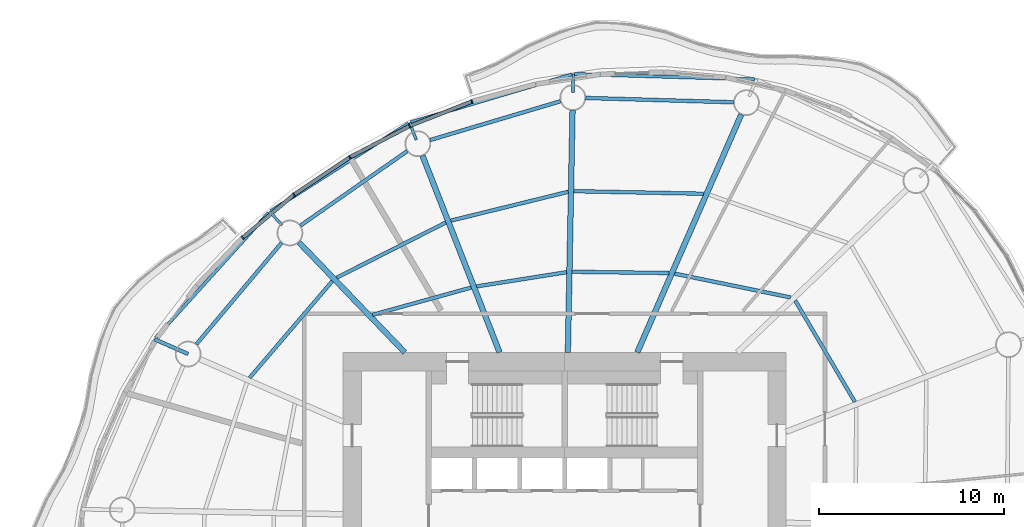
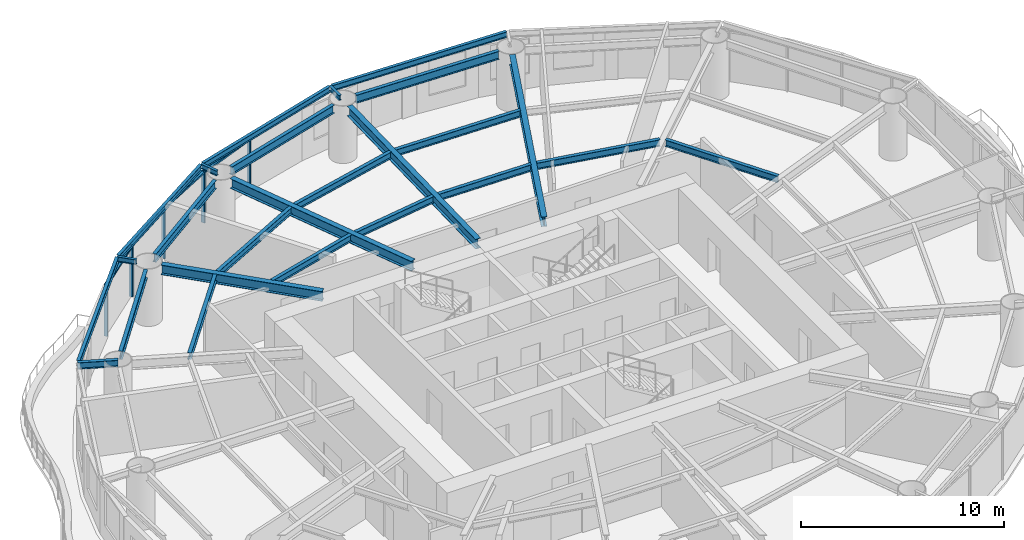
# One storey, part 5 of 14: 25 beams, 9 members, 4 elements without a shape of their own.
"""IFC4 building model written with IfcOpenShell, lengths in metres."""

import ifcopenshell
import ifcopenshell.guid

model = None  # the IFC model being written
_history = None  # IfcOwnerHistory: only IFC2X3 demands one
_inside = {}  # id of a spatial element -> (the spatial element, [elements in it])
_under = {}  # id of a project, library or spatial element -> (it, [spatial elements below it])
_declared = {}  # id of a project -> (the project, [libraries it declares])
_typed = {}  # id of a type object -> (the type object, [elements of that type])
_made_of = {}  # id of a material, layer set ... -> (it, [elements and type objects made of it])


def new_model(schema):
    """Start an empty IFC model of exactly this schema.

    Asked for "IFC4X3", IfcOpenShell would pick the latest addendum, in which some entities
    have other attributes; the version numbers below select the first issue.
    IFC2X3 requires an IfcOwnerHistory on every rooted entity: one is made here for all.
    """
    global model, _history
    if schema == "IFC4X3":
        model = ifcopenshell.file(schema_version=(4, 3, 0, 0))
    else:
        model = ifcopenshell.file(schema=schema)
    _inside.clear()
    _under.clear()
    _declared.clear()
    _typed.clear()
    _made_of.clear()
    _history = None
    if model.schema == "IFC2X3":
        org = make("IfcOrganization", Name="unknown")
        user = make(
            "IfcPersonAndOrganization",
            ThePerson=make("IfcPerson", FamilyName="unknown"),
            TheOrganization=org,
        )
        app = make(
            "IfcApplication",
            ApplicationDeveloper=org,
            Version="unknown",
            ApplicationFullName="unknown",
            ApplicationIdentifier="unknown",
        )
        _history = make(
            "IfcOwnerHistory",
            OwningUser=user,
            OwningApplication=app,
            ChangeAction="ADDED",
            CreationDate=0,
        )
    return model


def make(cls, **values):
    """One entity of the class cls with the attributes given. An attribute that is None is left unset."""
    return model.create_entity(
        cls, **{name: value for name, value in values.items() if value is not None}
    )


def rooted(cls, **values):
    """An entity with a GlobalId (a new one), such as an element, a storey or a relation."""
    return make(cls, GlobalId=ifcopenshell.guid.new(), OwnerHistory=_history, **values)


def si_unit(unit_type, name, prefix=None):
    """IfcSIUnit, for example si_unit("LENGTHUNIT", "METRE", prefix="MILLI")."""
    return make("IfcSIUnit", UnitType=unit_type, Prefix=prefix, Name=name)


def assignment(units):
    """IfcUnitAssignment: the units of a project."""
    return None if units is None else make("IfcUnitAssignment", Units=units)


def point(xyz):
    """IfcCartesianPoint."""
    return None if xyz is None else make("IfcCartesianPoint", Coordinates=xyz)


def direction(xyz):
    """IfcDirection."""
    return None if xyz is None else make("IfcDirection", DirectionRatios=xyz)


def frame(location, z_axis=None, x_axis=None):
    """IfcAxis2Placement3D, a coordinate frame: its origin and axes. An axis left out is left unset."""
    return make(
        "IfcAxis2Placement3D",
        Location=point(location),
        Axis=direction(z_axis),
        RefDirection=direction(x_axis),
    )


def frame_2d(location, x_axis=None):
    """IfcAxis2Placement2D, a coordinate frame in the plane: its origin and x axis."""
    return make(
        "IfcAxis2Placement2D", Location=point(location), RefDirection=direction(x_axis)
    )


def origin():
    """The frame at (0, 0, 0) with its axes left unset."""
    return frame((0.0, 0.0, 0.0))


def origin_2d():
    """The frame at (0, 0) in the plane with its x axis left unset."""
    return frame_2d((0.0, 0.0))


def place(relative_to, where):
    """IfcLocalPlacement: puts the frame where relative to a parent placement (None: the world)."""
    return make(
        "IfcLocalPlacement", PlacementRelTo=relative_to, RelativePlacement=where
    )


def context(
    kind, dimensions, precision=None, world=None, true_north=None, identifier=None
):
    """IfcGeometricRepresentationContext, for example the 3D "Model" context."""
    return make(
        "IfcGeometricRepresentationContext",
        ContextIdentifier=identifier,
        ContextType=kind,
        CoordinateSpaceDimension=dimensions,
        Precision=precision,
        WorldCoordinateSystem=world,
        TrueNorth=true_north,
    )


def subcontext(parent, identifier, kind, view, scale=None):
    """IfcGeometricRepresentationSubContext, for example "Body" below "Model"."""
    return make(
        "IfcGeometricRepresentationSubContext",
        ContextIdentifier=identifier,
        ContextType=kind,
        ParentContext=parent,
        TargetScale=scale,
        TargetView=view,
    )


def project(units=None, contexts=None):
    """IfcProject with its units and contexts."""
    return rooted(
        "IfcProject",
        Name="project",
        RepresentationContexts=contexts,
        UnitsInContext=assignment(units),
    )


def spatial(cls, under=None, at=None, **own):
    """A site, building, storey or space (cls), placed at a placement, below another one or the project."""
    s = rooted(cls, ObjectPlacement=at, **own)
    if under is not None:
        _under.setdefault(under.id(), (under, []))[1].append(s)
    return s


def profile(cls, at=None, kind="AREA", **sizes):
    """A parametric profile (cls). Its sizes go by their IFC names, for example OverallWidth=200.0."""
    return make(cls, ProfileType=kind, Position=at, **sizes)


def rectangle(**sizes):
    """IfcRectangleProfileDef."""
    return profile("IfcRectangleProfileDef", **sizes)


def i_section(**sizes):
    """IfcIShapeProfileDef."""
    return profile("IfcIShapeProfileDef", **sizes)


def extrude(swept, where, along, depth):
    """IfcExtrudedAreaSolid: the profile swept, set in the frame where, extruded along a direction by depth."""
    return make(
        "IfcExtrudedAreaSolid",
        SweptArea=swept,
        Position=where,
        ExtrudedDirection=direction(along),
        Depth=depth,
    )


def shape(context_of_items, identifier, shape_type, items):
    """IfcShapeRepresentation: the items that make up one representation, for example the "Body"."""
    return make(
        "IfcShapeRepresentation",
        ContextOfItems=context_of_items,
        RepresentationIdentifier=identifier,
        RepresentationType=shape_type,
        Items=items,
    )


def material(Name=None, Category=None):
    """IfcMaterial."""
    return make("IfcMaterial", Name=Name, Category=Category)


def material_profile(
    of_material, cross_section, Name=None, Category=None, Priority=None
):
    """IfcMaterialProfile: a cross section and its material."""
    return make(
        "IfcMaterialProfile",
        Name=Name,
        Material=of_material,
        Profile=cross_section,
        Priority=Priority,
        Category=Category,
    )


def profile_set(profiles, Name=None, composite=None):
    """IfcMaterialProfileSet."""
    return make(
        "IfcMaterialProfileSet",
        Name=Name,
        MaterialProfiles=profiles,
        CompositeProfile=composite,
    )


def made_of(thing, what):
    """Note that an element or type object is made of a material, layer set ...; save() writes the relation."""
    if what is not None:
        _made_of.setdefault(what.id(), (what, []))[1].append(thing)
    return thing


def type_object(cls, material=None, **own):
    """A type object (cls), such as IfcWallType, which elements share."""
    return made_of(rooted(cls, **own), material)


def element(
    cls,
    number,
    at=None,
    inside=None,
    cuts=None,
    type_object=None,
    material=None,
    context=None,
    identifier="Body",
    shape_type=None,
    held_by="IfcProductDefinitionShape",
    body=None,
    shapes=None,
    **own,
):
    """One element of the class cls, such as IfcWall. Its Tag is "e" and its number.

    at: its placement. inside: the storey or other place that contains it. cuts: it is an
    opening in that element (IfcRelVoidsElement). A single representation is given by context,
    identifier, shape_type and body (its items); several are given by shapes. held_by: the class
    of the entity that holds the representations. save() writes the other relations.
    """
    e = rooted(cls, Tag="e%d" % number, ObjectPlacement=at, **own)
    if body is not None:
        shapes = [shape(context, identifier, shape_type, body)]
    if shapes is not None:
        e.Representation = make(held_by, Representations=shapes)
    if inside is not None:
        _inside.setdefault(inside.id(), (inside, []))[1].append(e)
    if cuts is not None:
        rooted(
            "IfcRelVoidsElement", RelatingBuildingElement=cuts, RelatedOpeningElement=e
        )
    if type_object is not None:
        _typed.setdefault(type_object.id(), (type_object, []))[1].append(e)
    return made_of(e, material)


def aggregate(whole, parts):
    """IfcRelAggregates: a whole, such as a stair, and the parts it consists of."""
    return rooted("IfcRelAggregates", RelatingObject=whole, RelatedObjects=parts)


def save(model, path):
    """Write the relations noted so far, then the file.

    IfcRelAggregates (storeys below a building ...), IfcRelContainedInSpatialStructure (elements
    in a storey), IfcRelDefinesByType, IfcRelAssociatesMaterial and IfcRelDeclares: one each for
    every whole, place, type object, material and project.
    """
    for whole, parts in _under.values():
        aggregate(whole, parts)
    for where, things in _inside.values():
        rooted(
            "IfcRelContainedInSpatialStructure",
            RelatedElements=things,
            RelatingStructure=where,
        )
    for kind, things in _typed.values():
        rooted("IfcRelDefinesByType", RelatedObjects=things, RelatingType=kind)
    for what, things in _made_of.values():
        rooted("IfcRelAssociatesMaterial", RelatedObjects=things, RelatingMaterial=what)
    for by, libraries in _declared.values():
        rooted("IfcRelDeclares", RelatingContext=by, RelatedDefinitions=libraries)
    model.write(path)


model = new_model("IFC4")

# Units and contexts
model_context = context("Model", 3, precision=1e-05, world=origin(), true_north=direction((0.0, 1.0)))
body_context = subcontext(model_context, "Body", "Model", "MODEL_VIEW")
ifc_project = project(units=[si_unit("LENGTHUNIT", "METRE"), si_unit("AREAUNIT", "SQUARE_METRE"), si_unit("VOLUMEUNIT", "CUBIC_METRE"), si_unit("PLANEANGLEUNIT", "RADIAN"), si_unit("MASSUNIT", "GRAM", prefix="KILO")], contexts=[model_context])

# Site, building, storey
site_placement = place(None, origin())
site = spatial("IfcSite", under=ifc_project, at=site_placement, CompositionType="ELEMENT")
building_placement = place(site_placement, origin())
building = spatial("IfcBuilding", under=site, at=building_placement, Name="Vermilion Reach Broadcast Tower", CompositionType="ELEMENT")
storey_placement = place(building_placement, frame((0.0, 0.0, 157.800048828125)))
storey = spatial("IfcBuildingStorey", under=building, at=storey_placement, Name="L37", CompositionType="ELEMENT", Elevation=157.800048828125)

# Beams
ifc_material_1 = material(Name="Steel S355J2", Category="steel")
ifc_material_profile_1 = material_profile(ifc_material_1, i_section(OverallWidth=0.175048828125, OverallDepth=0.35009765625, WebThickness=0.007080078125, FlangeThickness=0.010986328125, at=origin_2d()), Name="S355J2 HN 350x175x7x11")
ifc_profile_set_1 = profile_set([ifc_material_profile_1], Name="Steel S355J2")
beam_type_1 = type_object("IfcBeamType", Name="EB3 HN 350x175x7x11", PredefinedType="BEAM", material=ifc_profile_set_1)
beam_1_placement = place(storey_placement, frame((4.31396484375, 23.783935546875, 3.27490234375), z_axis=(-0.999559862567, 0.029666161605, 0.0), x_axis=(-0.029666161605, -0.999559862567, 0.0)))
element("IfcBeam", 1, at=beam_1_placement, inside=storey, type_object=beam_type_1, Name="Edge beam EB3-02", PredefinedType="BEAM", context=body_context, shape_type="SweptSolid", body=[
    extrude(i_section(OverallWidth=0.175048828125, OverallDepth=0.35009765625, WebThickness=0.007080078125, FlangeThickness=0.010986328125, at=origin_2d()), origin(), (0.0, 0.0, 1.0), 9.77685546875),
])
beam_2_placement = place(storey_placement, frame((-5.60888671875, 24.0537109375, 3.27490234375), z_axis=(-0.958570041505, -0.284856938707, 0.0), x_axis=(0.284856938707, -0.958570041505, 0.0)))
element("IfcBeam", 2, at=beam_2_placement, inside=storey, type_object=beam_type_1, Name="Edge beam EB3-03", PredefinedType="BEAM", context=body_context, shape_type="SweptSolid", body=[
    extrude(i_section(OverallWidth=0.175048828125, OverallDepth=0.35009765625, WebThickness=0.007080078125, FlangeThickness=0.010986328125, at=origin_2d()), origin(), (0.0, 0.0, 1.0), 9.09423828125),
])
beam_3_placement = place(storey_placement, frame((-14.463134765625, 21.40087890625, 3.27490234375), z_axis=(-0.843639873841, -0.53690945537, 0.0), x_axis=(0.53690945537, -0.843639873841, 0.0)))
element("IfcBeam", 3, at=beam_3_placement, inside=storey, type_object=beam_type_1, Name="Edge beam EB3-04", PredefinedType="BEAM", context=body_context, shape_type="SweptSolid", body=[
    extrude(i_section(OverallWidth=0.175048828125, OverallDepth=0.35009765625, WebThickness=0.007080078125, FlangeThickness=0.010986328125, at=origin_2d()), origin(), (0.0, 0.0, 1.0), 8.83740234375),
])
beam_4_placement = place(storey_placement, frame((-22.03369140625, 16.55908203125, 3.27490234375), z_axis=(-0.670346165542, -0.742048528294, 0.0), x_axis=(0.742048528294, -0.670346165542, 0.0)))
element("IfcBeam", 4, at=beam_4_placement, inside=storey, type_object=beam_type_1, Name="Edge beam EB3-05", PredefinedType="BEAM", context=body_context, shape_type="SweptSolid", body=[
    extrude(i_section(OverallWidth=0.175048828125, OverallDepth=0.35009765625, WebThickness=0.007080078125, FlangeThickness=0.010986328125, at=origin_2d()), origin(), (0.0, 0.0, 1.0), 9.121826171875),
])
ifc_material_2 = material(Name="Steel S355J2", Category="steel")
ifc_material_profile_2 = material_profile(ifc_material_2, i_section(OverallWidth=0.300048828125, OverallDepth=0.587890625, WebThickness=0.011962890625, FlangeThickness=0.02001953125, at=origin_2d()), Name="S355J2 HM 588x300x12x20")
ifc_profile_set_2 = profile_set([ifc_material_profile_2], Name="Steel S355J2")
beam_type_2 = type_object("IfcBeamType", Name="G3 HM 588x300x12x20", PredefinedType="BEAM", material=ifc_profile_set_2)
beam_5_placement = place(storey_placement, frame((-2.066162109375, 9.0, 3.156005859375), z_axis=(0.400519113205, 0.916288404356, 0.0), x_axis=(-0.916288404356, 0.400519113205, 0.0)))
element("IfcBeam", 5, at=beam_5_placement, inside=storey, type_object=beam_type_2, Name="Girder G3-02", PredefinedType="BEAM", context=body_context, shape_type="SweptSolid", body=[
    extrude(i_section(OverallWidth=0.300048828125, OverallDepth=0.587890625, WebThickness=0.011962890625, FlangeThickness=0.02001953125, at=origin_2d()), origin(), (0.0, 0.0, 1.0), 14.0595703125),
])
beam_6_placement = place(storey_placement, frame((-5.82568359375, 9.0, 3.156005859375), z_axis=(0.019378372481, 0.99981222171, 0.0), x_axis=(-0.99981222171, 0.019378372481, 0.0)))
element("IfcBeam", 6, at=beam_6_placement, inside=storey, type_object=beam_type_2, Name="Girder G3-03", PredefinedType="BEAM", context=body_context, shape_type="SweptSolid", body=[
    extrude(i_section(OverallWidth=0.300048828125, OverallDepth=0.587890625, WebThickness=0.011962890625, FlangeThickness=0.02001953125, at=origin_2d()), origin(), (0.0, 0.0, 1.0), 13.1025390625),
])
beam_7_placement = place(storey_placement, frame((-9.525146484375, 9.0, 3.156005859375), z_axis=(-0.364715649973, 0.931118947646, 0.0), x_axis=(-0.931118947646, -0.364715649973, 0.0)))
element("IfcBeam", 7, at=beam_7_placement, inside=storey, type_object=beam_type_2, Name="Girder G3-04", PredefinedType="BEAM", context=body_context, shape_type="SweptSolid", body=[
    extrude(i_section(OverallWidth=0.300048828125, OverallDepth=0.587890625, WebThickness=0.011962890625, FlangeThickness=0.02001953125, at=origin_2d()), origin(), (0.0, 0.0, 1.0), 11.436767578125),
])
beam_8_placement = place(storey_placement, frame((-14.657958984375, 9.0, 3.156005859375), z_axis=(-0.693282657492, 0.72066577331, 0.0), x_axis=(-0.72066577331, -0.693282657492, 0.0)))
element("IfcBeam", 8, at=beam_8_placement, inside=storey, type_object=beam_type_2, Name="Girder G3-05", PredefinedType="BEAM", context=body_context, shape_type="SweptSolid", body=[
    extrude(i_section(OverallWidth=0.300048828125, OverallDepth=0.587890625, WebThickness=0.011962890625, FlangeThickness=0.02001953125, at=origin_2d()), origin(), (0.0, 0.0, 1.0), 8.273681640625),
])
ifc_material_3 = material(Name="Steel S355J2", Category="steel")
ifc_material_profile_3 = material_profile(ifc_material_3, i_section(OverallWidth=0.199951171875, OverallDepth=0.39990234375, WebThickness=0.008056640625, FlangeThickness=0.012939453125, at=origin_2d()), Name="S355J2 HN 400x200x8x13")
ifc_profile_set_3 = profile_set([ifc_material_profile_3], Name="Steel S355J2")
beam_type_3 = type_object("IfcBeamType", Name="GC3 HN 400x200x8x13", PredefinedType="BEAM", material=ifc_profile_set_3)
beam_9_placement = place(storey_placement, frame((-26.38818359375, 8.91162109375, 3.25), z_axis=(-0.916303081638, 0.400485533548, 0.0), x_axis=(-0.400485533548, -0.916303081638, 0.0)))
element("IfcBeam", 9, at=beam_9_placement, inside=storey, type_object=beam_type_3, Name="Cantilever girder GC3-06", PredefinedType="BEAM", context=body_context, shape_type="SweptSolid", body=[
    extrude(i_section(OverallWidth=0.199951171875, OverallDepth=0.39990234375, WebThickness=0.008056640625, FlangeThickness=0.012939453125, at=origin_2d()), origin(), (0.0, 0.0, 1.0), 1.998291015625),
])
ifc_material_4 = material(Name="Steel S355J2", Category="steel")
ifc_material_profile_4 = material_profile(ifc_material_4, i_section(OverallWidth=0.14990234375, OverallDepth=0.300048828125, WebThickness=0.006591796875, FlangeThickness=0.009033203125, at=origin_2d()), Name="S355J2 HN 300x150x6.5x9")
ifc_profile_set_4 = profile_set([ifc_material_profile_4], Name="Steel S355J2")
beam_type_4 = type_object("IfcBeamType", Name="GS3 HN 300x150x6.5x9", PredefinedType="BEAM", material=ifc_profile_set_4)
for number, where, z_axis, x_axis, name in (
    (10, (-5.552978515625, 23.076416015625, 3.300048828125), (0.019532292583, 0.999809226576, 0.0), (-0.999809226576, 0.019532292583, 0.0), "Cantilever stub GS3-03"),
    (11, (-14.033935546875, 20.5107421875, 3.300048828125), (-0.364730702407, 0.931113051526, 0.0), (-0.931113051526, -0.364730702407, 0.0), "Cantilever stub GS3-04"),
    (12, (-21.2900390625, 15.894287109375, 3.300048828125), (-0.693303837595, 0.720645397388, 0.0), (-0.720645397388, -0.693303837595, 0.0), "Cantilever stub GS3-05"),
):
    element("IfcBeam", number, at=place(storey_placement, frame(where, z_axis=z_axis, x_axis=x_axis)), inside=storey, type_object=beam_type_4, Name=name, PredefinedType="BEAM", context=body_context, shape_type="SweptSolid", body=[
        extrude(i_section(OverallWidth=0.14990234375, OverallDepth=0.300048828125, WebThickness=0.006591796875, FlangeThickness=0.009033203125, at=origin_2d()), origin(), (0.0, 0.0, 1.0), 1.0),
    ])
ifc_material_5 = material(Name="Steel S355J2", Category="steel")
ifc_material_profile_5 = material_profile(ifc_material_5, i_section(OverallWidth=0.199951171875, OverallDepth=0.5, WebThickness=0.010009765625, FlangeThickness=0.01611328125, at=origin_2d()), Name="S355J2 HN 500x200x10x16")
ifc_profile_set_5 = profile_set([ifc_material_profile_5], Name="Steel S355J2")
beam_type_5 = type_object("IfcBeamType", Name="RB3 HN 500x200x10x16", PredefinedType="BEAM", material=ifc_profile_set_5)
beam_10_placement = place(storey_placement, frame((3.1455078125, 22.544677734375, 3.199951171875), z_axis=(-0.999569781146, 0.029330063427, 0.0), x_axis=(-0.029330063427, -0.999569781146, 0.0)))
element("IfcBeam", 13, at=beam_10_placement, inside=storey, type_object=beam_type_5, Name="Ring beam RB3-02", PredefinedType="BEAM", context=body_context, shape_type="SweptSolid", body=[
    extrude(i_section(OverallWidth=0.199951171875, OverallDepth=0.5, WebThickness=0.010009765625, FlangeThickness=0.01611328125, at=origin_2d()), origin(), (0.0, 0.0, 1.0), 8.007568359375),
])
beam_11_placement = place(storey_placement, frame((-6.229248046875, 22.60009765625, 3.199951171875), z_axis=(-0.958416970322, -0.285371531516, 0.0), x_axis=(0.285371531516, -0.958416970322, 0.0)))
element("IfcBeam", 14, at=beam_11_placement, inside=storey, type_object=beam_type_5, Name="Ring beam RB3-03", PredefinedType="BEAM", context=body_context, shape_type="SweptSolid", body=[
    extrude(i_section(OverallWidth=0.199951171875, OverallDepth=0.5, WebThickness=0.010009765625, FlangeThickness=0.01611328125, at=origin_2d()), origin(), (0.0, 0.0, 1.0), 7.357421875),
])
beam_12_placement = place(storey_placement, frame((-14.525634765625, 19.900146484375, 3.199951171875), z_axis=(-0.820111453349, -0.572203813415, 0.0), x_axis=(0.572203813415, -0.820111453349, 0.0)))
element("IfcBeam", 15, at=beam_12_placement, inside=storey, type_object=beam_type_5, Name="Ring beam RB3-04", PredefinedType="BEAM", context=body_context, shape_type="SweptSolid", body=[
    extrude(i_section(OverallWidth=0.199951171875, OverallDepth=0.5, WebThickness=0.010009765625, FlangeThickness=0.01611328125, at=origin_2d()), origin(), (0.0, 0.0, 1.0), 7.04736328125),
])
beam_13_placement = place(storey_placement, frame((-21.32958984375, 14.931396484375, 3.199951171875), z_axis=(-0.643350337931, -0.765571905626, 0.0), x_axis=(0.765571905626, -0.643350337931, 0.0)))
element("IfcBeam", 16, at=beam_13_placement, inside=storey, type_object=beam_type_5, Name="Ring beam RB3-05", PredefinedType="BEAM", context=body_context, shape_type="SweptSolid", body=[
    extrude(i_section(OverallWidth=0.199951171875, OverallDepth=0.5, WebThickness=0.010009765625, FlangeThickness=0.01611328125, at=origin_2d()), origin(), (0.0, 0.0, 1.0), 7.1630859375),
])
ifc_material_6 = material(Name="Steel S355J2", Category="steel")
ifc_material_profile_6 = material_profile(ifc_material_6, i_section(OverallWidth=0.199951171875, OverallDepth=0.39990234375, WebThickness=0.008056640625, FlangeThickness=0.012939453125, at=origin_2d()), Name="S355J2 HN 400x200x8x13")
ifc_profile_set_6 = profile_set([ifc_material_profile_6], Name="Steel S355J2")
beam_type_6 = type_object("IfcBeamType", Name="SB3 HN 400x200x8x13", PredefinedType="BEAM", material=ifc_profile_set_6)
beam_14_placement = place(storey_placement, frame((6.232666015625, 11.975830078125, 3.25), z_axis=(-0.97956765607, 0.201114910391, 0.0), x_axis=(-0.201114910391, -0.97956765607, 0.0)))
element("IfcBeam", 17, at=beam_14_placement, inside=storey, type_object=beam_type_6, Name="Secondary beam SB3-01-1", PredefinedType="BEAM", context=body_context, shape_type="SweptSolid", body=[
    extrude(i_section(OverallWidth=0.199951171875, OverallDepth=0.39990234375, WebThickness=0.008056640625, FlangeThickness=0.012939453125, at=origin_2d()), origin(), (0.0, 0.0, 1.0), 6.40234375),
])
beam_15_placement = place(storey_placement, frame((-0.351806640625, 13.29638671875, 3.25), z_axis=(-0.999914891843, 0.013046419838, 0.0), x_axis=(-0.013046419838, -0.999914891843, 0.0)))
element("IfcBeam", 18, at=beam_15_placement, inside=storey, type_object=beam_type_6, Name="Secondary beam SB3-02-1", PredefinedType="BEAM", context=body_context, shape_type="SweptSolid", body=[
    extrude(i_section(OverallWidth=0.199951171875, OverallDepth=0.39990234375, WebThickness=0.008056640625, FlangeThickness=0.012939453125, at=origin_2d()), origin(), (0.0, 0.0, 1.0), 5.23974609375),
])
beam_16_placement = place(storey_placement, frame((1.525634765625, 17.591552734375, 3.25), z_axis=(-0.999804929321, 0.019751033045, 0.0), x_axis=(-0.019751033045, -0.999804929321, 0.0)))
element("IfcBeam", 19, at=beam_16_placement, inside=storey, type_object=beam_type_6, Name="Secondary beam SB3-02-2", PredefinedType="BEAM", context=body_context, shape_type="SweptSolid", body=[
    extrude(i_section(OverallWidth=0.199951171875, OverallDepth=0.39990234375, WebThickness=0.008056640625, FlangeThickness=0.012939453125, at=origin_2d()), origin(), (0.0, 0.0, 1.0), 7.033447265625),
])
beam_17_placement = place(storey_placement, frame((-5.8916015625, 13.343017578125, 3.25), z_axis=(-0.987756142208, -0.15600578044, 0.0), x_axis=(0.15600578044, -0.987756142208, 0.0)))
element("IfcBeam", 20, at=beam_17_placement, inside=storey, type_object=beam_type_6, Name="Secondary beam SB3-03-1", PredefinedType="BEAM", context=body_context, shape_type="SweptSolid", body=[
    extrude(i_section(OverallWidth=0.199951171875, OverallDepth=0.39990234375, WebThickness=0.008056640625, FlangeThickness=0.012939453125, at=origin_2d()), origin(), (0.0, 0.0, 1.0), 4.9326171875),
])
beam_18_placement = place(storey_placement, frame((-5.80712890625, 17.6962890625, 3.25), z_axis=(-0.971111691931, -0.238625400566, 0.0), x_axis=(0.238625400566, -0.971111691931, 0.0)))
element("IfcBeam", 21, at=beam_18_placement, inside=storey, type_object=beam_type_6, Name="Secondary beam SB3-03-2", PredefinedType="BEAM", context=body_context, shape_type="SweptSolid", body=[
    extrude(i_section(OverallWidth=0.199951171875, OverallDepth=0.39990234375, WebThickness=0.008056640625, FlangeThickness=0.012939453125, at=origin_2d()), origin(), (0.0, 0.0, 1.0), 6.540771484375),
])
beam_19_placement = place(storey_placement, frame((-11.06103515625, 12.509521484375, 3.25), z_axis=(-0.963889790258, -0.266301468708, 0.0), x_axis=(0.266301468708, -0.963889790258, 0.0)))
element("IfcBeam", 22, at=beam_19_placement, inside=storey, type_object=beam_type_6, Name="Secondary beam SB3-04-1", PredefinedType="BEAM", context=body_context, shape_type="SweptSolid", body=[
    extrude(i_section(OverallWidth=0.199951171875, OverallDepth=0.39990234375, WebThickness=0.008056640625, FlangeThickness=0.012939453125, at=origin_2d()), origin(), (0.0, 0.0, 1.0), 5.544677734375),
])
beam_20_placement = place(storey_placement, frame((-12.4404296875, 16.03125, 3.25), z_axis=(-0.892320561657, -0.451402276516, 0.0), x_axis=(0.451402276516, -0.892320561657, 0.0)))
element("IfcBeam", 23, at=beam_20_placement, inside=storey, type_object=beam_type_6, Name="Secondary beam SB3-04-2", PredefinedType="BEAM", context=body_context, shape_type="SweptSolid", body=[
    extrude(i_section(OverallWidth=0.199951171875, OverallDepth=0.39990234375, WebThickness=0.008056640625, FlangeThickness=0.012939453125, at=origin_2d()), origin(), (0.0, 0.0, 1.0), 6.613525390625),
])
beam_21_placement = place(storey_placement, frame((-18.579833984375, 12.860595703125, 3.25), z_axis=(-0.650167134505, -0.759791219487, 0.0), x_axis=(0.759791219487, -0.650167134505, 0.0)))
element("IfcBeam", 24, at=beam_21_placement, inside=storey, type_object=beam_type_6, Name="Secondary beam SB3-05-2", PredefinedType="BEAM", context=body_context, shape_type="SweptSolid", body=[
    extrude(i_section(OverallWidth=0.199951171875, OverallDepth=0.39990234375, WebThickness=0.008056640625, FlangeThickness=0.012939453125, at=origin_2d()), origin(), (0.0, 0.0, 1.0), 6.89501953125),
])
beam_22_placement = place(storey_placement, frame((9.71923828125, 6.318115234375, 3.25), z_axis=(-0.507249643612, 0.861799163991, 0.0), x_axis=(-0.861799163991, -0.507249643612, 0.0)))
element("IfcBeam", 25, at=beam_22_placement, inside=storey, type_object=beam_type_6, Name="Secondary beam SB3-16-1", PredefinedType="BEAM", context=body_context, shape_type="SweptSolid", body=[
    extrude(i_section(OverallWidth=0.199951171875, OverallDepth=0.39990234375, WebThickness=0.008056640625, FlangeThickness=0.012939453125, at=origin_2d()), origin(), (0.0, 0.0, 1.0), 6.3681640625),
])

# Curtain wall, member
ifc_material_7 = material(Name="Low-e laminated clear glass in aluminium frame", Category="aluminium")
curtain_wall_type = type_object("IfcCurtainWallType", Name="Slot curtain wall", PredefinedType="NOTDEFINED", material=ifc_material_7)
placement = place(storey_placement, origin())
curtain_wall_1 = element("IfcCurtainWall", 26, at=placement, inside=storey, type_object=curtain_wall_type, Name="Slot curtain wall L37 10", PredefinedType="NOTDEFINED")
ifc_material_8 = material(Name="Anodised aluminium", Category="aluminium")
ifc_material_profile_7 = material_profile(ifc_material_8, rectangle(XDim=0.199951171875, YDim=0.080078125, at=origin_2d()), Name="Slot mullion 80 x 200")
ifc_profile_set_7 = profile_set([ifc_material_profile_7], Name="Anodised aluminium")
member_type_1 = type_object("IfcMemberType", Name="Slot mullion 80 x 200", PredefinedType="MULLION", material=ifc_profile_set_7)
member_1_placement = place(storey_placement, frame((-11.0234375, 22.5869140625, 0.0), z_axis=(0.0, 0.0, 1.0), x_axis=(0.314307335614, -0.949321283223, 0.0)))
member_1 = element("IfcMember", 27, at=member_1_placement, type_object=member_type_1, Name="Slot mullion L37 10", PredefinedType="MULLION", context=body_context, shape_type="SweptSolid", body=[
    extrude(rectangle(XDim=0.199951171875, YDim=0.080078125, at=origin_2d()), origin(), (0.0, 0.0, 1.0), 3.099853515625),
])

curtain_wall_2 = element("IfcCurtainWall", 28, at=placement, inside=storey, type_object=curtain_wall_type, Name="Slot curtain wall L37 11", PredefinedType="NOTDEFINED")
member_2_placement = place(storey_placement, frame((-14.397705078125, 21.26025390625, 0.0), z_axis=(0.0, 0.0, 1.0), x_axis=(0.415551741252, -0.909569541235, 0.0)))
member_2 = element("IfcMember", 29, at=member_2_placement, type_object=member_type_1, Name="Slot mullion L37 11", PredefinedType="MULLION", context=body_context, shape_type="SweptSolid", body=[
    extrude(rectangle(XDim=0.199951171875, YDim=0.080078125, at=origin_2d()), origin(), (0.0, 0.0, 1.0), 3.099853515625),
])

curtain_wall_3 = element("IfcCurtainWall", 30, at=placement, inside=storey, type_object=curtain_wall_type, Name="Slot curtain wall L37 12", PredefinedType="NOTDEFINED")
member_3_placement = place(storey_placement, frame((-17.6279296875, 19.568359375, 0.0), z_axis=(0.0, 0.0, 1.0), x_axis=(0.51084299149, -0.85967403011, 0.0)))
member_3 = element("IfcMember", 31, at=member_3_placement, type_object=member_type_1, Name="Slot mullion L37 12", PredefinedType="MULLION", context=body_context, shape_type="SweptSolid", body=[
    extrude(rectangle(XDim=0.199951171875, YDim=0.080078125, at=origin_2d()), origin(), (0.0, 0.0, 1.0), 3.099853515625),
])

# Curtain wall, members
curtain_wall_4 = element("IfcCurtainWall", 32, at=placement, inside=storey, type_object=curtain_wall_type, Name="Slot curtain wall L37 13", PredefinedType="NOTDEFINED")
member_4_placement = place(storey_placement, frame((-20.658447265625, 17.5400390625, 0.0), z_axis=(0.0, 0.0, 1.0), x_axis=(0.600223930995, -0.799832002774, 0.0)))
member_4 = element("IfcMember", 33, at=member_4_placement, type_object=member_type_1, Name="Slot mullion L37 13", PredefinedType="MULLION", context=body_context, shape_type="SweptSolid", body=[
    extrude(rectangle(XDim=0.199951171875, YDim=0.080078125, at=origin_2d()), origin(), (0.0, 0.0, 1.0), 3.099853515625),
])
member_5_placement = place(storey_placement, frame((-23.43701171875, 15.21044921875, 0.0), z_axis=(0.0, 0.0, 1.0), x_axis=(0.683541277797, -0.729911858753, 0.0)))
member_5 = element("IfcMember", 34, at=member_5_placement, type_object=member_type_1, Name="Slot mullion L37 14", PredefinedType="MULLION", context=body_context, shape_type="SweptSolid", body=[
    extrude(rectangle(XDim=0.199951171875, YDim=0.080078125, at=origin_2d()), origin(), (0.0, 0.0, 1.0), 3.099853515625),
])

# Member
ifc_material_9 = material(Name="Anodised aluminium", Category="aluminium")
ifc_material_profile_8 = material_profile(ifc_material_9, rectangle(XDim=0.199951171875, YDim=0.10009765625, at=origin_2d()), Name="Slot transom 200 x 100")
ifc_profile_set_8 = profile_set([ifc_material_profile_8], Name="Anodised aluminium")
member_type_2 = type_object("IfcMemberType", Name="Slot transom 200 x 100", PredefinedType="USERDEFINED", material=ifc_profile_set_8)
member_6_placement = place(storey_placement, frame((-11.060546875, 22.572265625, 3.050048828125), z_axis=(-0.930663595514, -0.365876033629, 0.0), x_axis=(0.365876033629, -0.930663595514, 0.0)))
member_6 = element("IfcMember", 35, at=member_6_placement, type_object=member_type_2, Name="Slot transom L37 10.1", ObjectType="TRANSOM", PredefinedType="USERDEFINED", context=body_context, shape_type="SweptSolid", body=[
    extrude(rectangle(XDim=0.199951171875, YDim=0.10009765625, at=origin_2d()), origin(), (0.0, 0.0, 1.0), 3.5458984375),
])

aggregate(curtain_wall_1, [member_1, member_6])

member_7_placement = place(storey_placement, frame((-14.43310546875, 21.24169921875, 3.050048828125), z_axis=(-0.885848952386, -0.463973742313, 0.0), x_axis=(0.463973742313, -0.885848952386, 0.0)))
member_7 = element("IfcMember", 36, at=member_7_placement, type_object=member_type_2, Name="Slot transom L37 11.1", ObjectType="TRANSOM", PredefinedType="USERDEFINED", context=body_context, shape_type="SweptSolid", body=[
    extrude(rectangle(XDim=0.199951171875, YDim=0.10009765625, at=origin_2d()), origin(), (0.0, 0.0, 1.0), 3.566650390625),
])

aggregate(curtain_wall_2, [member_2, member_7])

member_8_placement = place(storey_placement, frame((-17.661376953125, 19.546142578125, 3.050048828125), z_axis=(-0.831016796819, -0.556247322154, 0.0), x_axis=(0.556247322154, -0.831016796819, 0.0)))
member_8 = element("IfcMember", 37, at=member_8_placement, type_object=member_type_2, Name="Slot transom L37 12.1", ObjectType="TRANSOM", PredefinedType="USERDEFINED", context=body_context, shape_type="SweptSolid", body=[
    extrude(rectangle(XDim=0.199951171875, YDim=0.10009765625, at=origin_2d()), origin(), (0.0, 0.0, 1.0), 3.566650390625),
])

aggregate(curtain_wall_3, [member_3, member_8])

member_9_placement = place(storey_placement, frame((-20.689208984375, 17.514404296875, 3.050048828125), z_axis=(-0.766259339845, -0.642531418765, 0.0), x_axis=(0.642531418765, -0.766259339845, 0.0)))
member_9 = element("IfcMember", 38, at=member_9_placement, type_object=member_type_2, Name="Slot transom L37 13.1", ObjectType="TRANSOM", PredefinedType="USERDEFINED", context=body_context, shape_type="SweptSolid", body=[
    extrude(rectangle(XDim=0.199951171875, YDim=0.10009765625, at=origin_2d()), origin(), (0.0, 0.0, 1.0), 3.5458984375),
])

aggregate(curtain_wall_4, [member_4, member_5, member_9])

save(model, "model.ifc")
